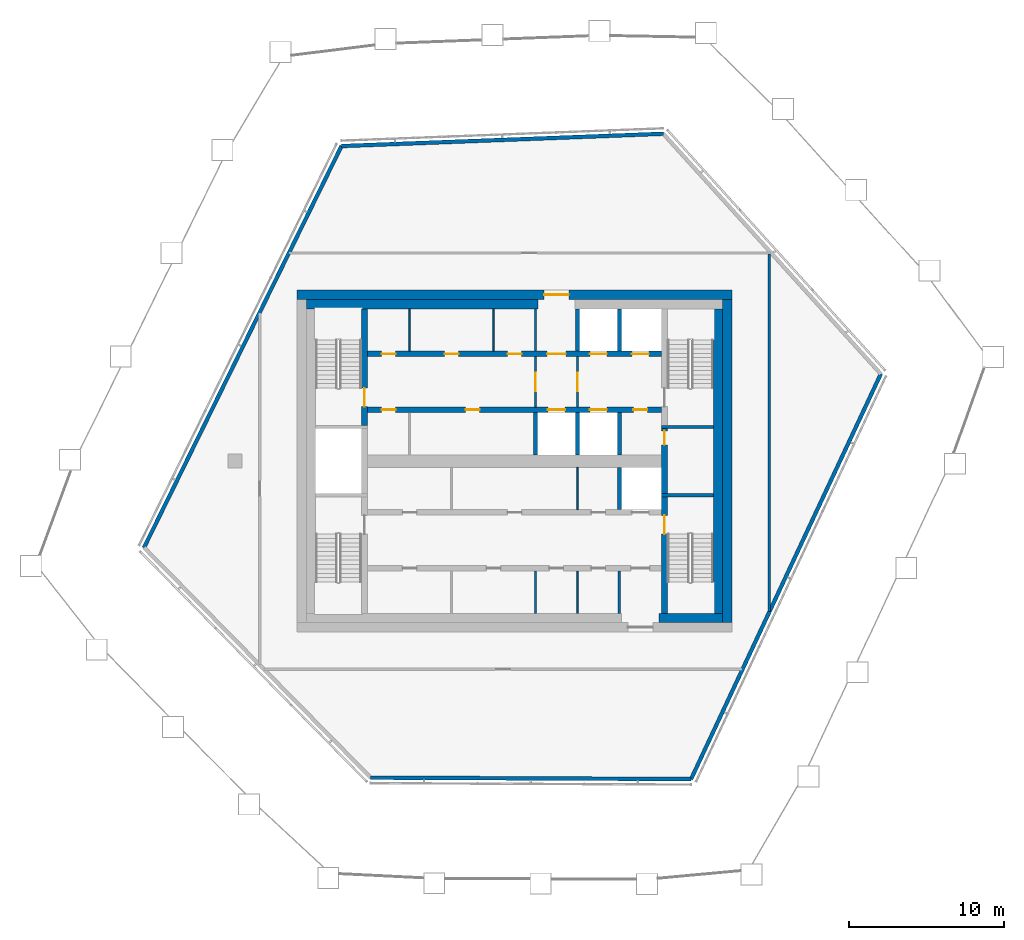
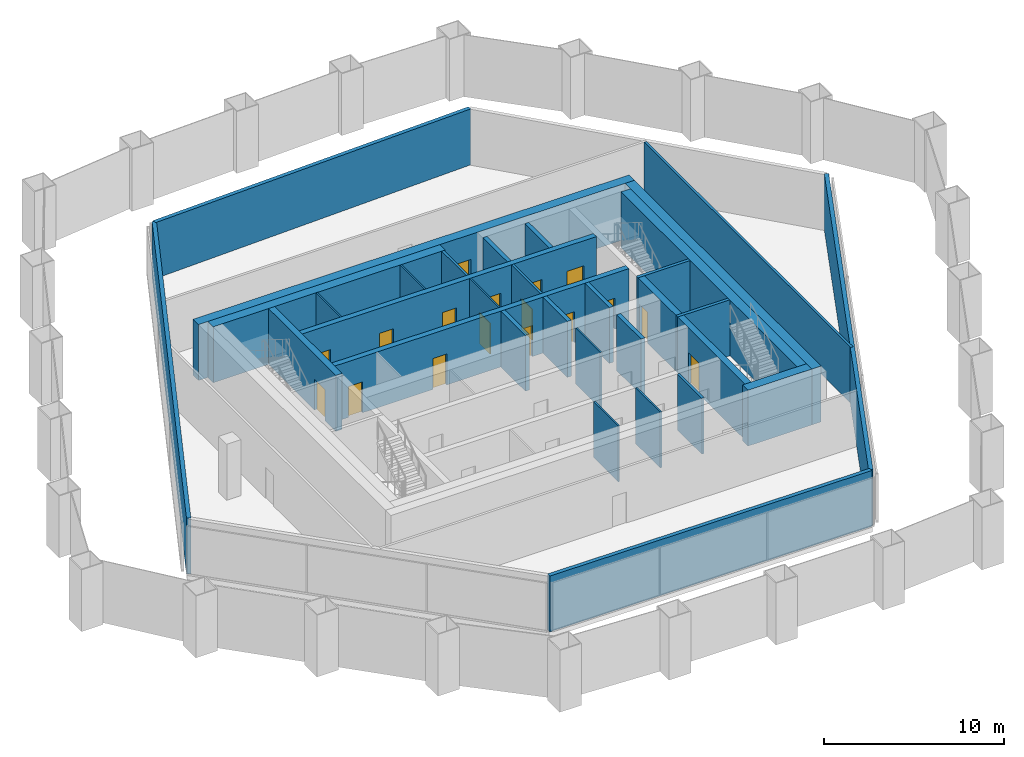
# One storey, part 8 of 18: 32 walls, 17 doors, 17 openings.
"""IFC4 building model written with IfcOpenShell, lengths in metres."""

from ifc_helpers import new_model, si_unit, direction, frame, frame_2d, origin, place, context, subcontext, project, spatial, rectangle, extrude, material, layer, layer_set, type_object, element, fill, save


model = new_model("IFC4")

# Units and contexts
model_context = context("Model", 3, precision=1e-05, world=origin(), true_north=direction((0.0, 1.0)))
body_context = subcontext(model_context, "Body", "Model", "MODEL_VIEW")
ifc_project = project(units=[si_unit("LENGTHUNIT", "METRE"), si_unit("AREAUNIT", "SQUARE_METRE"), si_unit("VOLUMEUNIT", "CUBIC_METRE"), si_unit("PLANEANGLEUNIT", "RADIAN"), si_unit("MASSUNIT", "GRAM", prefix="KILO")], contexts=[model_context])

# Site, building, storey
site_placement = place(None, origin())
site = spatial("IfcSite", under=ifc_project, at=site_placement, CompositionType="ELEMENT")
building_placement = place(site_placement, origin())
building = spatial("IfcBuilding", under=site, at=building_placement, Name="Dongbaek Canopy Tower", CompositionType="ELEMENT")
storey_placement = place(building_placement, frame((0.0, 0.0, 363.199951171875)))
storey = spatial("IfcBuildingStorey", under=building, at=storey_placement, Name="L78", CompositionType="ELEMENT", Elevation=363.199951171875)

# Wall, openings, doors
ifc_material_1 = material(Name="Concrete C60/75", Category="concrete")
ifc_layer_1 = layer(ifc_material_1, 0.35009765625)
ifc_layer_set_1 = layer_set([ifc_layer_1], Name="Core lobby wall 350 Concrete C60/75")
wall_type_1 = type_object("IfcWallType", Name="Core lobby wall 350 Concrete C60/75", PredefinedType="SHEAR", material=ifc_layer_set_1)
wall_1_placement = place(storey_placement, frame((-9.449951171875, 6.89990234375, 0.0), z_axis=(0.0, 0.0, 1.0), x_axis=(1.0, 0.0, 0.0)))
wall_1 = element("IfcWall", 1, at=wall_1_placement, inside=storey, type_object=wall_type_1, Name="Core wall", PredefinedType="SHEAR", context=body_context, shape_type="SweptSolid", body=[
    extrude(rectangle(XDim=18.89990234375, YDim=0.35009765625, at=frame_2d((9.449951171875, 0.0))), origin(), (0.0, 0.0, 1.0), 3.800048828125),
])
opening_1_placement = place(wall_1_placement, frame((11.550048828125, 0.0, 0.0)))
opening_1 = element("IfcOpeningElement", 2, at=opening_1_placement, cuts=wall_1, Name="Opening L78-D006", PredefinedType="OPENING", context=body_context, shape_type="SweptSolid", body=[
    extrude(rectangle(XDim=1.199951171875, YDim=2.10009765625, at=frame_2d((0.60009765625, 1.050048828125))), frame((0.0, 0.18505859375, 0.0), z_axis=(0.0, -1.0, 0.0), x_axis=(1.0, 0.0, 0.0)), (0.0, 0.0, 1.0), 0.3701171875),
])
opening_2_placement = place(wall_1_placement, frame((14.300048828125, 0.0, 0.0)))
opening_2 = element("IfcOpeningElement", 3, at=opening_2_placement, cuts=wall_1, Name="Opening L78-D007", PredefinedType="OPENING", context=body_context, shape_type="SweptSolid", body=[
    extrude(rectangle(XDim=1.10009765625, YDim=2.10009765625, at=frame_2d((0.550048828125, 1.050048828125))), frame((0.0, 0.18505859375, 0.0), z_axis=(0.0, -1.0, 0.0), x_axis=(1.0, 0.0, 0.0)), (0.0, 0.0, 1.0), 0.3701171875),
])
opening_3_placement = place(wall_1_placement, frame((17.0, 0.0, 0.0)))
opening_3 = element("IfcOpeningElement", 4, at=opening_3_placement, cuts=wall_1, Name="Opening L78-D008", PredefinedType="OPENING", context=body_context, shape_type="SweptSolid", body=[
    extrude(rectangle(XDim=1.10009765625, YDim=2.10009765625, at=frame_2d((0.550048828125, 1.050048828125))), frame((0.0, 0.18505859375, 0.0), z_axis=(0.0, -1.0, 0.0), x_axis=(1.0, 0.0, 0.0)), (0.0, 0.0, 1.0), 0.3701171875),
])
opening_4_placement = place(wall_1_placement, frame((0.89990234375, 0.0, 0.0)))
opening_4 = element("IfcOpeningElement", 5, at=opening_4_placement, cuts=wall_1, Name="Opening L78-D015", PredefinedType="OPENING", context=body_context, shape_type="SweptSolid", body=[
    extrude(rectangle(XDim=0.89990234375, YDim=2.10009765625, at=frame_2d((0.449951171875, 1.050048828125))), frame((0.0, 0.18505859375, 0.0), z_axis=(0.0, -1.0, 0.0), x_axis=(1.0, 0.0, 0.0)), (0.0, 0.0, 1.0), 0.3701171875),
])
opening_5_placement = place(wall_1_placement, frame((4.949951171875, 0.0, 0.0)))
opening_5 = element("IfcOpeningElement", 6, at=opening_5_placement, cuts=wall_1, Name="Opening L78-D016", PredefinedType="OPENING", context=body_context, shape_type="SweptSolid", body=[
    extrude(rectangle(XDim=0.89990234375, YDim=2.10009765625, at=frame_2d((0.449951171875, 1.050048828125))), frame((0.0, 0.18505859375, 0.0), z_axis=(0.0, -1.0, 0.0), x_axis=(1.0, 0.0, 0.0)), (0.0, 0.0, 1.0), 0.3701171875),
])
opening_6_placement = place(wall_1_placement, frame((9.0, 0.0, 0.0)))
opening_6 = element("IfcOpeningElement", 7, at=opening_6_placement, cuts=wall_1, Name="Opening L78-D017", PredefinedType="OPENING", context=body_context, shape_type="SweptSolid", body=[
    extrude(rectangle(XDim=0.89990234375, YDim=2.10009765625, at=frame_2d((0.449951171875, 1.050048828125))), frame((0.0, 0.18505859375, 0.0), z_axis=(0.0, -1.0, 0.0), x_axis=(1.0, 0.0, 0.0)), (0.0, 0.0, 1.0), 0.3701171875),
])
ifc_material_2 = material(Name="Steel", Category="steel")
door_type_1 = type_object("IfcDoorType", Name="Core room door 900 x 2100", OperationType="SINGLE_SWING_LEFT", PredefinedType="DOOR", material=ifc_material_2)
door_1_placement = place(opening_4_placement, origin())
door_1 = element("IfcDoor", 8, at=door_1_placement, inside=storey, type_object=door_type_1, Name="Door L78-D015", OperationType="SINGLE_SWING_RIGHT", OverallHeight=2.10009765625, OverallWidth=0.89990234375, PredefinedType="DOOR", context=body_context, shape_type="SweptSolid", body=[
    extrude(rectangle(XDim=0.89990234375, YDim=2.10009765625, at=frame_2d((0.449951171875, 1.050048828125))), frame((0.0, 0.02490234375, 0.0), z_axis=(0.0, -1.0, 0.0), x_axis=(1.0, 0.0, 0.0)), (0.0, 0.0, 1.0), 0.050048828125),
])
fill(opening_4, door_1)
door_2_placement = place(opening_5_placement, origin())
door_2 = element("IfcDoor", 9, at=door_2_placement, inside=storey, type_object=door_type_1, Name="Door L78-D016", OperationType="SINGLE_SWING_LEFT", OverallHeight=2.10009765625, OverallWidth=0.89990234375, PredefinedType="DOOR", context=body_context, shape_type="SweptSolid", body=[
    extrude(rectangle(XDim=0.89990234375, YDim=2.10009765625, at=frame_2d((0.449951171875, 1.050048828125))), frame((0.0, 0.02490234375, 0.0), z_axis=(0.0, -1.0, 0.0), x_axis=(1.0, 0.0, 0.0)), (0.0, 0.0, 1.0), 0.050048828125),
])
fill(opening_5, door_2)
door_3_placement = place(opening_6_placement, origin())
door_3 = element("IfcDoor", 10, at=door_3_placement, inside=storey, type_object=door_type_1, Name="Door L78-D017", OperationType="SINGLE_SWING_RIGHT", OverallHeight=2.10009765625, OverallWidth=0.89990234375, PredefinedType="DOOR", context=body_context, shape_type="SweptSolid", body=[
    extrude(rectangle(XDim=0.89990234375, YDim=2.10009765625, at=frame_2d((0.449951171875, 1.050048828125))), frame((0.0, 0.02490234375, 0.0), z_axis=(0.0, -1.0, 0.0), x_axis=(1.0, 0.0, 0.0)), (0.0, 0.0, 1.0), 0.050048828125),
])
fill(opening_6, door_3)
ifc_material_3 = material(Name="Steel", Category="steel")
door_type_2 = type_object("IfcDoorType", Name="Fire lobby door 1200 x 2100", OperationType="SINGLE_SWING_LEFT", PredefinedType="DOOR", material=ifc_material_3)
door_4_placement = place(opening_1_placement, origin())
door_4 = element("IfcDoor", 11, at=door_4_placement, inside=storey, type_object=door_type_2, Name="Door L78-D006", OperationType="SINGLE_SWING_LEFT", OverallHeight=2.10009765625, OverallWidth=1.199951171875, PredefinedType="DOOR", context=body_context, shape_type="SweptSolid", body=[
    extrude(rectangle(XDim=1.199951171875, YDim=2.10009765625, at=frame_2d((0.60009765625, 1.050048828125))), frame((0.0, 0.02490234375, 0.0), z_axis=(0.0, -1.0, 0.0), x_axis=(1.0, 0.0, 0.0)), (0.0, 0.0, 1.0), 0.050048828125),
])
fill(opening_1, door_4)
ifc_material_4 = material(Name="Stainless steel", Category="steel")
door_type_3 = type_object("IfcDoorType", Name="Lift landing door 1100 x 2100", OperationType="DOUBLE_DOOR_SLIDING", PredefinedType="DOOR", material=ifc_material_4)
door_5_placement = place(opening_2_placement, origin())
door_5 = element("IfcDoor", 12, at=door_5_placement, inside=storey, type_object=door_type_3, Name="Landing door FF1", OperationType="DOUBLE_DOOR_SLIDING", OverallHeight=2.10009765625, OverallWidth=1.10009765625, PredefinedType="DOOR", context=body_context, shape_type="SweptSolid", body=[
    extrude(rectangle(XDim=1.10009765625, YDim=2.10009765625, at=frame_2d((0.550048828125, 1.050048828125))), frame((0.0, 0.02490234375, 0.0), z_axis=(0.0, -1.0, 0.0), x_axis=(1.0, 0.0, 0.0)), (0.0, 0.0, 1.0), 0.050048828125),
])
fill(opening_2, door_5)
door_6_placement = place(opening_3_placement, origin())
door_6 = element("IfcDoor", 13, at=door_6_placement, inside=storey, type_object=door_type_3, Name="Landing door FF2", OperationType="DOUBLE_DOOR_SLIDING", OverallHeight=2.10009765625, OverallWidth=1.10009765625, PredefinedType="DOOR", context=body_context, shape_type="SweptSolid", body=[
    extrude(rectangle(XDim=1.10009765625, YDim=2.10009765625, at=frame_2d((0.550048828125, 1.050048828125))), frame((0.0, 0.02490234375, 0.0), z_axis=(0.0, -1.0, 0.0), x_axis=(1.0, 0.0, 0.0)), (0.0, 0.0, 1.0), 0.050048828125),
])
fill(opening_3, door_6)

wall_2_placement = place(storey_placement, frame((9.449951171875, 3.300048828125, 0.0), z_axis=(0.0, 0.0, 1.0), x_axis=(-1.0, 0.0, 0.0)))
wall_2 = element("IfcWall", 14, at=wall_2_placement, inside=storey, type_object=wall_type_1, Name="Core wall", PredefinedType="SHEAR", context=body_context, shape_type="SweptSolid", body=[
    extrude(rectangle(XDim=18.89990234375, YDim=0.35009765625, at=frame_2d((9.449951171875, 0.0))), origin(), (0.0, 0.0, 1.0), 3.800048828125),
])
opening_7_placement = place(wall_2_placement, frame((6.199951171875, 0.0, 0.0)))
opening_7 = element("IfcOpeningElement", 15, at=opening_7_placement, cuts=wall_2, Name="Opening L78-D009", PredefinedType="OPENING", context=body_context, shape_type="SweptSolid", body=[
    extrude(rectangle(XDim=1.10009765625, YDim=2.10009765625, at=frame_2d((0.550048828125, 1.050048828125))), frame((0.0, 0.18505859375, 0.0), z_axis=(0.0, -1.0, 0.0), x_axis=(1.0, 0.0, 0.0)), (0.0, 0.0, 1.0), 0.3701171875),
])
opening_8_placement = place(wall_2_placement, frame((3.5, 0.0, 0.0)))
opening_8 = element("IfcOpeningElement", 16, at=opening_8_placement, cuts=wall_2, Name="Opening L78-D010", PredefinedType="OPENING", context=body_context, shape_type="SweptSolid", body=[
    extrude(rectangle(XDim=1.10009765625, YDim=2.10009765625, at=frame_2d((0.550048828125, 1.050048828125))), frame((0.0, 0.18505859375, 0.0), z_axis=(0.0, -1.0, 0.0), x_axis=(1.0, 0.0, 0.0)), (0.0, 0.0, 1.0), 0.3701171875),
])
opening_9_placement = place(wall_2_placement, frame((0.89990234375, 0.0, 0.0)))
opening_9 = element("IfcOpeningElement", 17, at=opening_9_placement, cuts=wall_2, Name="Opening L78-D011", PredefinedType="OPENING", context=body_context, shape_type="SweptSolid", body=[
    extrude(rectangle(XDim=0.89990234375, YDim=2.10009765625, at=frame_2d((0.449951171875, 1.050048828125))), frame((0.0, 0.18505859375, 0.0), z_axis=(0.0, -1.0, 0.0), x_axis=(1.0, 0.0, 0.0)), (0.0, 0.0, 1.0), 0.3701171875),
])
opening_10_placement = place(wall_2_placement, frame((17.10009765625, 0.0, 0.0)))
opening_10 = element("IfcOpeningElement", 18, at=opening_10_placement, cuts=wall_2, Name="Opening L78-D018", PredefinedType="OPENING", context=body_context, shape_type="SweptSolid", body=[
    extrude(rectangle(XDim=0.89990234375, YDim=2.10009765625, at=frame_2d((0.449951171875, 1.050048828125))), frame((0.0, 0.18505859375, 0.0), z_axis=(0.0, -1.0, 0.0), x_axis=(1.0, 0.0, 0.0)), (0.0, 0.0, 1.0), 0.3701171875),
])
opening_11_placement = place(wall_2_placement, frame((11.699951171875, 0.0, 0.0)))
opening_11 = element("IfcOpeningElement", 19, at=opening_11_placement, cuts=wall_2, Name="Opening L78-D019", PredefinedType="OPENING", context=body_context, shape_type="SweptSolid", body=[
    extrude(rectangle(XDim=0.89990234375, YDim=2.10009765625, at=frame_2d((0.449951171875, 1.050048828125))), frame((0.0, 0.18505859375, 0.0), z_axis=(0.0, -1.0, 0.0), x_axis=(1.0, 0.0, 0.0)), (0.0, 0.0, 1.0), 0.3701171875),
])
door_7_placement = place(opening_9_placement, origin())
door_7 = element("IfcDoor", 20, at=door_7_placement, inside=storey, type_object=door_type_1, Name="Door L78-D011", OperationType="SINGLE_SWING_LEFT", OverallHeight=2.10009765625, OverallWidth=0.89990234375, PredefinedType="DOOR", context=body_context, shape_type="SweptSolid", body=[
    extrude(rectangle(XDim=0.89990234375, YDim=2.10009765625, at=frame_2d((0.449951171875, 1.050048828125))), frame((0.0, 0.02490234375, 0.0), z_axis=(0.0, -1.0, 0.0), x_axis=(1.0, 0.0, 0.0)), (0.0, 0.0, 1.0), 0.050048828125),
])
fill(opening_9, door_7)
door_8_placement = place(opening_10_placement, origin())
door_8 = element("IfcDoor", 21, at=door_8_placement, inside=storey, type_object=door_type_1, Name="Door L78-D018", OperationType="SINGLE_SWING_LEFT", OverallHeight=2.10009765625, OverallWidth=0.89990234375, PredefinedType="DOOR", context=body_context, shape_type="SweptSolid", body=[
    extrude(rectangle(XDim=0.89990234375, YDim=2.10009765625, at=frame_2d((0.449951171875, 1.050048828125))), frame((0.0, 0.02490234375, 0.0), z_axis=(0.0, -1.0, 0.0), x_axis=(1.0, 0.0, 0.0)), (0.0, 0.0, 1.0), 0.050048828125),
])
fill(opening_10, door_8)
door_9_placement = place(opening_11_placement, origin())
door_9 = element("IfcDoor", 22, at=door_9_placement, inside=storey, type_object=door_type_1, Name="Door L78-D019", OperationType="SINGLE_SWING_RIGHT", OverallHeight=2.10009765625, OverallWidth=0.89990234375, PredefinedType="DOOR", context=body_context, shape_type="SweptSolid", body=[
    extrude(rectangle(XDim=0.89990234375, YDim=2.10009765625, at=frame_2d((0.449951171875, 1.050048828125))), frame((0.0, 0.02490234375, 0.0), z_axis=(0.0, -1.0, 0.0), x_axis=(1.0, 0.0, 0.0)), (0.0, 0.0, 1.0), 0.050048828125),
])
fill(opening_11, door_9)
door_10_placement = place(opening_7_placement, origin())
door_10 = element("IfcDoor", 23, at=door_10_placement, inside=storey, type_object=door_type_3, Name="Landing door SV1", OperationType="DOUBLE_DOOR_SLIDING", OverallHeight=2.10009765625, OverallWidth=1.10009765625, PredefinedType="DOOR", context=body_context, shape_type="SweptSolid", body=[
    extrude(rectangle(XDim=1.10009765625, YDim=2.10009765625, at=frame_2d((0.550048828125, 1.050048828125))), frame((0.0, 0.02490234375, 0.0), z_axis=(0.0, -1.0, 0.0), x_axis=(1.0, 0.0, 0.0)), (0.0, 0.0, 1.0), 0.050048828125),
])
fill(opening_7, door_10)
door_11_placement = place(opening_8_placement, origin())
door_11 = element("IfcDoor", 24, at=door_11_placement, inside=storey, type_object=door_type_3, Name="Landing door FF3", OperationType="DOUBLE_DOOR_SLIDING", OverallHeight=2.10009765625, OverallWidth=1.10009765625, PredefinedType="DOOR", context=body_context, shape_type="SweptSolid", body=[
    extrude(rectangle(XDim=1.10009765625, YDim=2.10009765625, at=frame_2d((0.550048828125, 1.050048828125))), frame((0.0, 0.02490234375, 0.0), z_axis=(0.0, -1.0, 0.0), x_axis=(1.0, 0.0, 0.0)), (0.0, 0.0, 1.0), 0.050048828125),
])
fill(opening_8, door_11)

# Wall, opening, door
ifc_material_5 = material(Name="Concrete C80/95", Category="concrete")
ifc_layer_2 = layer(ifc_material_5, 0.60009765625)
ifc_layer_set_2 = layer_set([ifc_layer_2], Name="Core outer wall 600 Concrete C80/95")
wall_type_2 = type_object("IfcWallType", Name="Core outer wall 600 Concrete C80/95", PredefinedType="SHEAR", material=ifc_layer_set_2)
wall_3_placement = place(storey_placement, frame((-14.0, 10.699951171875, 0.0), z_axis=(0.0, 0.0, 1.0), x_axis=(1.0, 0.0, 0.0)))
wall_3 = element("IfcWall", 25, at=wall_3_placement, inside=storey, type_object=wall_type_2, Name="Core wall", PredefinedType="SHEAR", context=body_context, shape_type="SweptSolid", body=[
    extrude(rectangle(XDim=28.0, YDim=0.60009765625, at=frame_2d((14.0, 0.0))), origin(), (0.0, 0.0, 1.0), 3.800048828125),
])
opening_12_placement = place(wall_3_placement, frame((15.89990234375, 0.0, 0.0)))
opening_12 = element("IfcOpeningElement", 26, at=opening_12_placement, cuts=wall_3, Name="Opening L78-D005", PredefinedType="OPENING", context=body_context, shape_type="SweptSolid", body=[
    extrude(rectangle(XDim=1.60009765625, YDim=2.10009765625, at=frame_2d((0.800048828125, 1.050048828125))), frame((0.0, 0.31005859375, 0.0), z_axis=(0.0, -1.0, 0.0), x_axis=(1.0, 0.0, 0.0)), (0.0, 0.0, 1.0), 0.6201171875),
])
ifc_material_6 = material(Name="Steel", Category="steel")
door_type_4 = type_object("IfcDoorType", Name="Core exit door 1600 x 2100", OperationType="DOUBLE_DOOR_SINGLE_SWING", PredefinedType="DOOR", material=ifc_material_6)
door_12_placement = place(opening_12_placement, origin())
door_12 = element("IfcDoor", 27, at=door_12_placement, inside=storey, type_object=door_type_4, Name="Core exit door", OperationType="DOUBLE_DOOR_SINGLE_SWING", OverallHeight=2.10009765625, OverallWidth=1.60009765625, PredefinedType="DOOR", context=body_context, shape_type="SweptSolid", body=[
    extrude(rectangle(XDim=1.60009765625, YDim=2.10009765625, at=frame_2d((0.800048828125, 1.050048828125))), frame((0.0, 0.02490234375, 0.0), z_axis=(0.0, -1.0, 0.0), x_axis=(1.0, 0.0, 0.0)), (0.0, 0.0, 1.0), 0.050048828125),
])
fill(opening_12, door_12)

# Walls
wall_4_placement = place(storey_placement, frame((13.699951171875, 10.39990234375, 0.0), z_axis=(0.0, 0.0, 1.0), x_axis=(0.0, -1.0, 0.0)))
element("IfcWall", 28, at=wall_4_placement, inside=storey, type_object=wall_type_2, Name="Core wall", PredefinedType="SHEAR", context=body_context, shape_type="SweptSolid", body=[
    extrude(rectangle(XDim=20.7998046875, YDim=0.60009765625, at=frame_2d((10.39990234375, 0.0))), origin(), (0.0, 0.0, 1.0), 3.800048828125),
])
ifc_material_7 = material(Name="Concrete C60/75", Category="concrete")
ifc_layer_3 = layer(ifc_material_7, 0.60009765625)
ifc_layer_set_3 = layer_set([ifc_layer_3], Name="Core wall lining 600 Concrete C60/75")
wall_type_3 = type_object("IfcWallType", Name="Core wall lining 600 Concrete C60/75", PredefinedType="SHEAR", material=ifc_layer_set_3)
wall_5_placement = place(storey_placement, frame((-13.39990234375, 10.10009765625, 0.0), z_axis=(0.0, 0.0, 1.0), x_axis=(1.0, 0.0, 0.0)))
element("IfcWall", 29, at=wall_5_placement, inside=storey, type_object=wall_type_3, Name="Core wall lining", PredefinedType="SHEAR", context=body_context, shape_type="SweptSolid", body=[
    extrude(rectangle(XDim=14.89990234375, YDim=0.60009765625, at=frame_2d((7.449951171875, 0.0))), origin(), (0.0, 0.0, 1.0), 3.800048828125),
])
wall_6_placement = place(storey_placement, frame((13.39990234375, -10.10009765625, 0.0), z_axis=(0.0, 0.0, 1.0), x_axis=(-1.0, 0.0, 0.0)))
element("IfcWall", 30, at=wall_6_placement, inside=storey, type_object=wall_type_3, Name="Core wall lining", PredefinedType="SHEAR", context=body_context, shape_type="SweptSolid", body=[
    extrude(rectangle(XDim=4.099853515625, YDim=0.60009765625, at=frame_2d((2.0498046875, 0.0))), origin(), (0.0, 0.0, 1.0), 3.800048828125),
])
wall_7_placement = place(storey_placement, frame((13.10009765625, 9.800048828125, 0.0), z_axis=(0.0, 0.0, 1.0), x_axis=(0.0, -1.0, 0.0)))
element("IfcWall", 31, at=wall_7_placement, inside=storey, type_object=wall_type_3, Name="Core wall lining", PredefinedType="SHEAR", context=body_context, shape_type="SweptSolid", body=[
    extrude(rectangle(XDim=19.60009765625, YDim=0.60009765625, at=frame_2d((9.800048828125, 0.0))), origin(), (0.0, 0.0, 1.0), 3.800048828125),
])
ifc_material_8 = material(Name="Gypsum board partition, steel stud, 2 x 15 mm fire board", Category="steel")
ifc_layer_4 = layer(ifc_material_8, 0.14990234375)
ifc_layer_set_4 = layer_set([ifc_layer_4], Name="Fire-rated partition 150 gypsum board")
wall_type_4 = type_object("IfcWallType", Name="Fire-rated partition 150 gypsum board", PredefinedType="PARTITIONING", material=ifc_layer_set_4)
wall_8_placement = place(storey_placement, frame((16.39990234375, -9.676025390625, 0.0), z_axis=(0.0, 0.0, 1.0), x_axis=(0.0, 1.0, 0.0)))
element("IfcWall", 32, at=wall_8_placement, inside=storey, type_object=wall_type_4, Name="Corridor partition", PredefinedType="PARTITIONING", context=body_context, shape_type="SweptSolid", body=[
    extrude(rectangle(XDim=23.0009765625, YDim=0.14990234375, at=frame_2d((11.50048828125, 0.0))), origin(), (0.0, 0.0, 1.0), 3.800048828125),
])
wall_9_placement = place(storey_placement, frame((6.75, -9.800048828125, 0.0), z_axis=(0.0, 0.0, 1.0), x_axis=(0.0, 1.0, 0.0)))
element("IfcWall", 33, at=wall_9_placement, inside=storey, type_object=wall_type_4, Name="Fire lobby partition", PredefinedType="PARTITIONING", context=body_context, shape_type="SweptSolid", body=[
    extrude(rectangle(XDim=2.72509765625, YDim=0.14990234375, at=frame_2d((1.362548828125, 0.0))), origin(), (0.0, 0.0, 1.0), 3.800048828125),
])

# Wall, opening, door
wall_10_placement = place(storey_placement, frame((4.050048828125, 6.72509765625, 0.0), z_axis=(0.0, 0.0, 1.0), x_axis=(0.0, -1.0, 0.0)))
wall_10 = element("IfcWall", 34, at=wall_10_placement, inside=storey, type_object=wall_type_4, Name="Fire lobby partition", PredefinedType="PARTITIONING", context=body_context, shape_type="SweptSolid", body=[
    extrude(rectangle(XDim=3.25, YDim=0.14990234375, at=frame_2d((1.625, 0.0))), origin(), (0.0, 0.0, 1.0), 3.800048828125),
])
opening_13_placement = place(wall_10_placement, frame((1.02490234375, 0.0, 0.0)))
opening_13 = element("IfcOpeningElement", 35, at=opening_13_placement, cuts=wall_10, Name="Opening L78-D032", PredefinedType="OPENING", context=body_context, shape_type="SweptSolid", body=[
    extrude(rectangle(XDim=1.199951171875, YDim=2.10009765625, at=frame_2d((0.60009765625, 1.050048828125))), frame((0.0, 0.0849609375, 0.0), z_axis=(0.0, -1.0, 0.0), x_axis=(1.0, 0.0, 0.0)), (0.0, 0.0, 1.0), 0.169921875),
])
door_13_placement = place(opening_13_placement, origin())
door_13 = element("IfcDoor", 36, at=door_13_placement, inside=storey, type_object=door_type_2, Name="Door L78-D032", OperationType="SINGLE_SWING_RIGHT", OverallHeight=2.10009765625, OverallWidth=1.199951171875, PredefinedType="DOOR", context=body_context, shape_type="SweptSolid", body=[
    extrude(rectangle(XDim=1.199951171875, YDim=2.10009765625, at=frame_2d((0.60009765625, 1.050048828125))), frame((0.0, 0.02490234375, 0.0), z_axis=(0.0, -1.0, 0.0), x_axis=(1.0, 0.0, 0.0)), (0.0, 0.0, 1.0), 0.050048828125),
])
fill(opening_13, door_13)

# Walls
wall_11_placement = place(storey_placement, frame((1.35009765625, 7.074951171875, 0.0), z_axis=(0.0, 0.0, 1.0), x_axis=(0.0, 1.0, 0.0)))
element("IfcWall", 37, at=wall_11_placement, inside=storey, type_object=wall_type_4, Name="Fire lobby partition", PredefinedType="PARTITIONING", context=body_context, shape_type="SweptSolid", body=[
    extrude(rectangle(XDim=2.72509765625, YDim=0.14990234375, at=frame_2d((1.362548828125, 0.0))), origin(), (0.0, 0.0, 1.0), 3.800048828125),
])
ifc_material_9 = material(Name="Concrete C40/50", Category="concrete")
ifc_layer_5 = layer(ifc_material_9, 0.25)
ifc_layer_set_5 = layer_set([ifc_layer_5], Name="Lift shaft wall 250 Concrete C40/50")
wall_type_5 = type_object("IfcWallType", Name="Lift shaft wall 250 Concrete C40/50", PredefinedType="SOLIDWALL", material=ifc_layer_set_5)
for number, where, z_axis, x_axis, name in (
    (38, (6.75, -3.125, 0.0), (0.0, 0.0, 1.0), (0.0, 1.0, 0.0), "Lift shaft wall"),
    (39, (6.75, 0.39990234375, 0.0), (0.0, 0.0, 1.0), (0.0, 1.0, 0.0), "Lift shaft wall"),
    (40, (6.75, 7.074951171875, 0.0), (0.0, 0.0, 1.0), (0.0, 1.0, 0.0), "Lift shaft wall"),
    (41, (4.050048828125, 0.39990234375, 0.0), (0.0, 0.0, 1.0), (0.0, 1.0, 0.0), "Lift shaft wall"),
    (42, (4.050048828125, 7.074951171875, 0.0), (0.0, 0.0, 1.0), (0.0, 1.0, 0.0), "Lift shaft wall"),
    (43, (1.35009765625, 0.39990234375, 0.0), (0.0, 0.0, 1.0), (0.0, 1.0, 0.0), "Lift shaft wall"),
):
    element("IfcWall", number, at=place(storey_placement, frame(where, z_axis=z_axis, x_axis=x_axis)), inside=storey, type_object=wall_type_5, Name=name, PredefinedType="SOLIDWALL", context=body_context, shape_type="SweptSolid", body=[
        extrude(rectangle(XDim=2.72509765625, YDim=0.25, at=frame_2d((1.362548828125, 0.0))), origin(), (0.0, 0.0, 1.0), 3.800048828125),
    ])
ifc_material_10 = material(Name="Gypsum board partition, steel stud, 2 x 12.5 mm board", Category="steel")
ifc_layer_6 = layer(ifc_material_10, 0.10009765625)
ifc_layer_set_6 = layer_set([ifc_layer_6], Name="Partition 100 gypsum board")
wall_type_6 = type_object("IfcWallType", Name="Partition 100 gypsum board", PredefinedType="PARTITIONING", material=ifc_layer_set_6)
for number, where, z_axis, x_axis, name in (
    (44, (4.050048828125, -9.800048828125, 0.0), (0.0, 0.0, 1.0), (0.0, 1.0, 0.0), "Core partition"),
    (45, (4.050048828125, -3.125, 0.0), (0.0, 0.0, 1.0), (0.0, 1.0, 0.0), "Core partition"),
    (46, (1.35009765625, -9.800048828125, 0.0), (0.0, 0.0, 1.0), (0.0, 1.0, 0.0), "Core partition"),
):
    element("IfcWall", number, at=place(storey_placement, frame(where, z_axis=z_axis, x_axis=x_axis)), inside=storey, type_object=wall_type_6, Name=name, PredefinedType="PARTITIONING", context=body_context, shape_type="SweptSolid", body=[
        extrude(rectangle(XDim=2.72509765625, YDim=0.10009765625, at=frame_2d((1.362548828125, 0.0))), origin(), (0.0, 0.0, 1.0), 3.800048828125),
    ])

# Wall, opening, door
wall_12_placement = place(storey_placement, frame((1.35009765625, 6.72509765625, 0.0), z_axis=(0.0, 0.0, 1.0), x_axis=(0.0, -1.0, 0.0)))
wall_12 = element("IfcWall", 47, at=wall_12_placement, inside=storey, type_object=wall_type_6, Name="Core partition", PredefinedType="PARTITIONING", context=body_context, shape_type="SweptSolid", body=[
    extrude(rectangle(XDim=3.25, YDim=0.10009765625, at=frame_2d((1.625, 0.0))), origin(), (0.0, 0.0, 1.0), 3.800048828125),
])
opening_14_placement = place(wall_12_placement, frame((1.02490234375, 0.0, 0.0)))
opening_14 = element("IfcOpeningElement", 48, at=opening_14_placement, cuts=wall_12, Name="Opening L78-D031", PredefinedType="OPENING", context=body_context, shape_type="SweptSolid", body=[
    extrude(rectangle(XDim=1.199951171875, YDim=2.10009765625, at=frame_2d((0.60009765625, 1.050048828125))), frame((0.0, 0.06005859375, 0.0), z_axis=(0.0, -1.0, 0.0), x_axis=(1.0, 0.0, 0.0)), (0.0, 0.0, 1.0), 0.1201171875),
])
door_14_placement = place(opening_14_placement, origin())
door_14 = element("IfcDoor", 49, at=door_14_placement, inside=storey, type_object=door_type_2, Name="Door L78-D031", OperationType="SINGLE_SWING_LEFT", OverallHeight=2.10009765625, OverallWidth=1.199951171875, PredefinedType="DOOR", context=body_context, shape_type="SweptSolid", body=[
    extrude(rectangle(XDim=1.199951171875, YDim=2.10009765625, at=frame_2d((0.60009765625, 1.050048828125))), frame((0.0, 0.02490234375, 0.0), z_axis=(0.0, -1.0, 0.0), x_axis=(1.0, 0.0, 0.0)), (0.0, 0.0, 1.0), 0.050048828125),
])
fill(opening_14, door_14)

# Walls
for number, where, z_axis, x_axis, name in (
    (50, (-1.35009765625, 7.074951171875, 0.0), (0.0, 0.0, 1.0), (0.0, 1.0, 0.0), "Core partition"),
    (51, (-6.75, 7.074951171875, 0.0), (0.0, 0.0, 1.0), (0.0, 1.0, 0.0), "Core partition"),
):
    element("IfcWall", number, at=place(storey_placement, frame(where, z_axis=z_axis, x_axis=x_axis)), inside=storey, type_object=wall_type_6, Name=name, PredefinedType="PARTITIONING", context=body_context, shape_type="SweptSolid", body=[
        extrude(rectangle(XDim=2.72509765625, YDim=0.10009765625, at=frame_2d((1.362548828125, 0.0))), origin(), (0.0, 0.0, 1.0), 3.800048828125),
    ])
ifc_material_11 = material(Name="Pale metal cladding on insulated wall")
ifc_layer_7 = layer(ifc_material_11, 0.25)
ifc_layer_set_7 = layer_set([ifc_layer_7], Name="Plant floor wall 250")
wall_type_7 = type_object("IfcWallType", Name="Plant floor wall 250", PredefinedType="SOLIDWALL", material=ifc_layer_set_7)
wall_13_placement = place(storey_placement, frame((-9.265869140625, -20.376708984375, 0.0), z_axis=(0.0, 0.0, 1.0), x_axis=(0.999990050783, -0.004460755013, 0.0)))
element("IfcWall", 52, at=wall_13_placement, inside=storey, type_object=wall_type_7, Name="Plant wall L78 F0 1", PredefinedType="SOLIDWALL", context=body_context, shape_type="SweptSolid", body=[
    extrude(rectangle(XDim=20.633544921875, YDim=0.25, at=frame_2d((10.31689453125, 0.0))), origin(), (0.0, 0.0, 1.0), 3.800048828125),
])
wall_14_placement = place(storey_placement, frame((11.367431640625, -20.46875, 0.0), z_axis=(0.0, 0.0, 1.0), x_axis=(0.424125024155, 0.905603646131, 0.0)))
element("IfcWall", 53, at=wall_14_placement, inside=storey, type_object=wall_type_7, Name="Plant wall L78 F1 1", PredefinedType="SOLIDWALL", context=body_context, shape_type="SweptSolid", body=[
    extrude(rectangle(XDim=28.80126953125, YDim=0.25, at=frame_2d((14.400634765625, 0.0))), origin(), (0.0, 0.0, 1.0), 3.800048828125),
])
wall_15_placement = place(storey_placement, frame((9.583251953125, 21.072509765625, 0.0), z_axis=(0.0, 0.0, 1.0), x_axis=(-0.999269048775, -0.038227845343, 0.0)))
element("IfcWall", 54, at=wall_15_placement, inside=storey, type_object=wall_type_7, Name="Plant wall L78 F3 1", PredefinedType="SOLIDWALL", context=body_context, shape_type="SweptSolid", body=[
    extrude(rectangle(XDim=20.73681640625, YDim=0.25, at=frame_2d((10.368408203125, 0.0))), origin(), (0.0, 0.0, 1.0), 3.800048828125),
])
wall_16_placement = place(storey_placement, frame((-11.138427734375, 20.27978515625, 0.0), z_axis=(0.0, 0.0, 1.0), x_axis=(-0.441342255748, -0.897338850876, 0.0)))
element("IfcWall", 55, at=wall_16_placement, inside=storey, type_object=wall_type_7, Name="Plant wall L78 F4 1", PredefinedType="SOLIDWALL", context=body_context, shape_type="SweptSolid", body=[
    extrude(rectangle(XDim=28.80517578125, YDim=0.25, at=frame_2d((14.402587890625, 0.0))), origin(), (0.0, 0.0, 1.0), 3.800048828125),
])
ifc_material_12 = material(Name="Concrete C60/75", Category="concrete")
ifc_layer_8 = layer(ifc_material_12, 0.199951171875)
ifc_layer_set_8 = layer_set([ifc_layer_8], Name="Riser wall 200 Concrete C60/75")
wall_type_8 = type_object("IfcWallType", Name="Riser wall 200 Concrete C60/75", PredefinedType="SHEAR", material=ifc_layer_set_8)
for number, where, z_axis, x_axis, name in (
    (56, (9.449951171875, 2.199951171875, 0.0), (0.0, 0.0, 1.0), (1.0, 0.0, 0.0), "Riser wall"),
    (57, (9.449951171875, -2.199951171875, 0.0), (0.0, 0.0, 1.0), (1.0, 0.0, 0.0), "Riser wall"),
):
    element("IfcWall", number, at=place(storey_placement, frame(where, z_axis=z_axis, x_axis=x_axis)), inside=storey, type_object=wall_type_8, Name=name, PredefinedType="SHEAR", context=body_context, shape_type="SweptSolid", body=[
        extrude(rectangle(XDim=3.35009765625, YDim=0.199951171875, at=frame_2d((1.675048828125, 0.0))), origin(), (0.0, 0.0, 1.0), 3.800048828125),
    ])

# Wall, opening, door
ifc_material_13 = material(Name="Concrete C60/75", Category="concrete")
ifc_layer_9 = layer(ifc_material_13, 0.39990234375)
ifc_layer_set_9 = layer_set([ifc_layer_9], Name="Stair wall 400 Concrete C60/75")
wall_type_9 = type_object("IfcWallType", Name="Stair wall 400 Concrete C60/75", PredefinedType="SHEAR", material=ifc_layer_set_9)
wall_17_placement = place(storey_placement, frame((9.64990234375, -2.300048828125, 0.0), z_axis=(0.0, 0.0, 1.0), x_axis=(0.0, -1.0, 0.0)))
wall_17 = element("IfcWall", 58, at=wall_17_placement, inside=storey, type_object=wall_type_9, Name="Stair wall", PredefinedType="SHEAR", context=body_context, shape_type="SweptSolid", body=[
    extrude(rectangle(XDim=7.5, YDim=0.39990234375, at=frame_2d((3.75, 0.0))), origin(), (0.0, 0.0, 1.0), 3.800048828125),
])
opening_15_placement = place(wall_17_placement, frame((1.199951171875, 0.0, 0.0)))
opening_15 = element("IfcOpeningElement", 59, at=opening_15_placement, cuts=wall_17, Name="Opening L78-D029", PredefinedType="OPENING", context=body_context, shape_type="SweptSolid", body=[
    extrude(rectangle(XDim=1.199951171875, YDim=2.10009765625, at=frame_2d((0.60009765625, 1.050048828125))), frame((0.0, 0.2099609375, 0.0), z_axis=(0.0, -1.0, 0.0), x_axis=(1.0, 0.0, 0.0)), (0.0, 0.0, 1.0), 0.419921875),
])
ifc_material_14 = material(Name="Steel", Category="steel")
door_type_5 = type_object("IfcDoorType", Name="Stair door 1200 x 2100", OperationType="SINGLE_SWING_LEFT", PredefinedType="DOOR", material=ifc_material_14)
door_15_placement = place(opening_15_placement, origin())
door_15 = element("IfcDoor", 60, at=door_15_placement, inside=storey, type_object=door_type_5, Name="Stair B door", OperationType="SINGLE_SWING_RIGHT", OverallHeight=2.10009765625, OverallWidth=1.199951171875, PredefinedType="DOOR", context=body_context, shape_type="SweptSolid", body=[
    extrude(rectangle(XDim=1.199951171875, YDim=2.10009765625, at=frame_2d((0.60009765625, 1.050048828125))), frame((0.0, 0.02490234375, 0.0), z_axis=(0.0, -1.0, 0.0), x_axis=(1.0, 0.0, 0.0)), (0.0, 0.0, 1.0), 0.050048828125),
])
fill(opening_15, door_15)

wall_18_placement = place(storey_placement, frame((9.64990234375, 2.10009765625, 0.0), z_axis=(0.0, 0.0, 1.0), x_axis=(0.0, -1.0, 0.0)))
wall_18 = element("IfcWall", 61, at=wall_18_placement, inside=storey, type_object=wall_type_9, Name="Stair wall", PredefinedType="SHEAR", context=body_context, shape_type="SweptSolid", body=[
    extrude(rectangle(XDim=4.2001953125, YDim=0.39990234375, at=frame_2d((2.10009765625, 0.0))), origin(), (0.0, 0.0, 1.0), 3.800048828125),
])
opening_16_placement = place(wall_18_placement, frame((0.14990234375, 0.0, 0.0)))
opening_16 = element("IfcOpeningElement", 62, at=opening_16_placement, cuts=wall_18, Name="Opening L78-D004", PredefinedType="OPENING", context=body_context, shape_type="SweptSolid", body=[
    extrude(rectangle(XDim=0.89990234375, YDim=2.10009765625, at=frame_2d((0.449951171875, 1.050048828125))), frame((0.0, 0.2099609375, 0.0), z_axis=(0.0, -1.0, 0.0), x_axis=(1.0, 0.0, 0.0)), (0.0, 0.0, 1.0), 0.419921875),
])
door_16_placement = place(opening_16_placement, origin())
door_16 = element("IfcDoor", 63, at=door_16_placement, inside=storey, type_object=door_type_1, Name="Door L78-D004", OperationType="SINGLE_SWING_RIGHT", OverallHeight=2.10009765625, OverallWidth=0.89990234375, PredefinedType="DOOR", context=body_context, shape_type="SweptSolid", body=[
    extrude(rectangle(XDim=0.89990234375, YDim=2.10009765625, at=frame_2d((0.449951171875, 1.050048828125))), frame((0.0, 0.02490234375, 0.0), z_axis=(0.0, -1.0, 0.0), x_axis=(1.0, 0.0, 0.0)), (0.0, 0.0, 1.0), 0.050048828125),
])
fill(opening_16, door_16)

wall_19_placement = place(storey_placement, frame((-9.64990234375, 2.300048828125, 0.0), z_axis=(0.0, 0.0, 1.0), x_axis=(0.0, 1.0, 0.0)))
wall_19 = element("IfcWall", 64, at=wall_19_placement, inside=storey, type_object=wall_type_9, Name="Stair wall", PredefinedType="SHEAR", context=body_context, shape_type="SweptSolid", body=[
    extrude(rectangle(XDim=7.5, YDim=0.39990234375, at=frame_2d((3.75, 0.0))), origin(), (0.0, 0.0, 1.0), 3.800048828125),
])
opening_17_placement = place(wall_19_placement, frame((1.199951171875, 0.0, 0.0)))
opening_17 = element("IfcOpeningElement", 65, at=opening_17_placement, cuts=wall_19, Name="Opening L78-D028", PredefinedType="OPENING", context=body_context, shape_type="SweptSolid", body=[
    extrude(rectangle(XDim=1.199951171875, YDim=2.10009765625, at=frame_2d((0.60009765625, 1.050048828125))), frame((0.0, 0.2099609375, 0.0), z_axis=(0.0, -1.0, 0.0), x_axis=(1.0, 0.0, 0.0)), (0.0, 0.0, 1.0), 0.419921875),
])
door_17_placement = place(opening_17_placement, origin())
door_17 = element("IfcDoor", 66, at=door_17_placement, inside=storey, type_object=door_type_5, Name="Stair C door", OperationType="SINGLE_SWING_RIGHT", OverallHeight=2.10009765625, OverallWidth=1.199951171875, PredefinedType="DOOR", context=body_context, shape_type="SweptSolid", body=[
    extrude(rectangle(XDim=1.199951171875, YDim=2.10009765625, at=frame_2d((0.60009765625, 1.050048828125))), frame((0.0, 0.02490234375, 0.0), z_axis=(0.0, -1.0, 0.0), x_axis=(1.0, 0.0, 0.0)), (0.0, 0.0, 1.0), 0.050048828125),
])
fill(opening_17, door_17)

save(model, "model.ifc")
